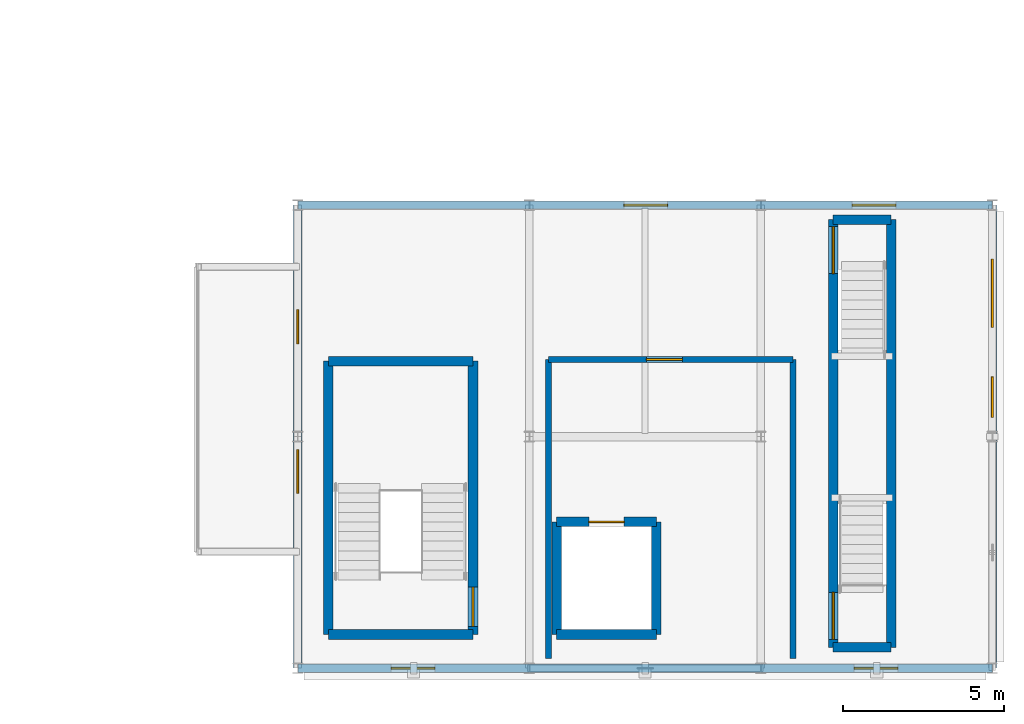
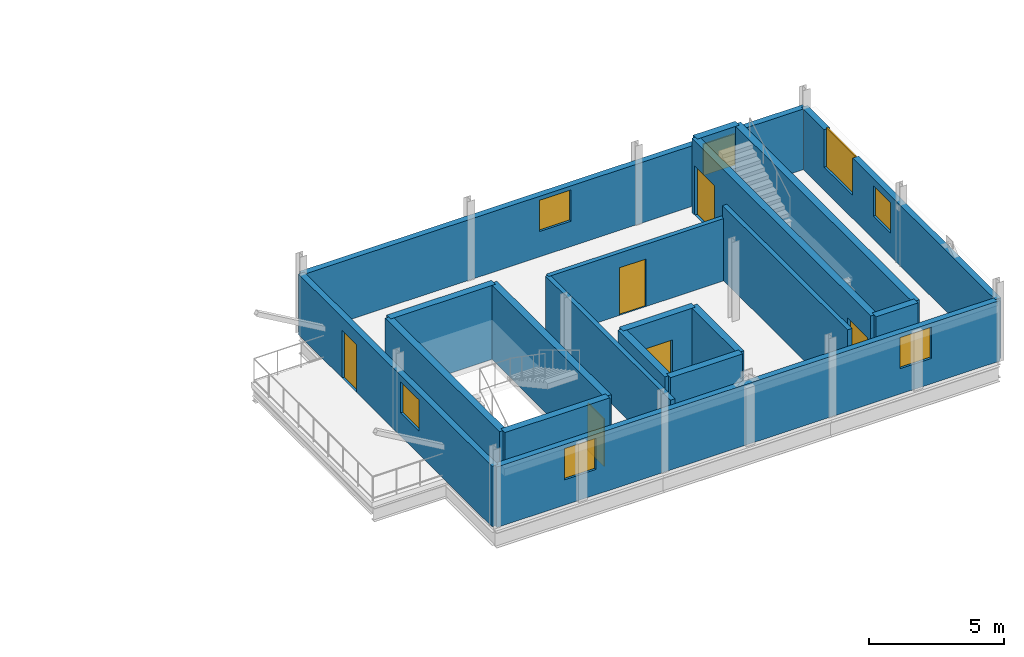
# One storey, part 60 of 96: 19 walls, 7 windows, 6 doors, 13 openings.
"""IFC4 building model written with IfcOpenShell, lengths in metres."""

from ifc_helpers import new_model, si_unit, direction, frame, frame_2d, origin, place, context, subcontext, project, spatial, rectangle, extrude, material, layer, layer_set, type_object, element, fill, save


model = new_model("IFC4")

# Units and contexts
model_context = context("Model", 3, precision=1e-05, world=origin(), true_north=direction((0.0, 1.0)))
body_context = subcontext(model_context, "Body", "Model", "MODEL_VIEW")
ifc_project = project(units=[si_unit("LENGTHUNIT", "METRE"), si_unit("AREAUNIT", "SQUARE_METRE"), si_unit("VOLUMEUNIT", "CUBIC_METRE"), si_unit("PLANEANGLEUNIT", "RADIAN"), si_unit("MASSUNIT", "GRAM", prefix="KILO")], contexts=[model_context])

# Site, building, storey
site_placement = place(None, origin())
site = spatial("IfcSite", under=ifc_project, at=site_placement, CompositionType="ELEMENT")
building_placement = place(site_placement, origin())
building = spatial("IfcBuilding", under=site, at=building_placement, Name="Yarey Park Central Fire Station", CompositionType="ELEMENT")
storey_placement = place(building_placement, frame((0.0, 0.0, 14.39990234375)))
storey = spatial("IfcBuildingStorey", under=building, at=storey_placement, Name="L04", CompositionType="ELEMENT", Elevation=14.39990234375)

# Wall, openings, windows
ifc_material_1 = material(Name="Concrete C40/50", Category="concrete")
ifc_layer_1 = layer(ifc_material_1, 0.2548828125)
ifc_layer_set_1 = layer_set([ifc_layer_1], Name="Concrete C40/50")
wall_type_1 = type_object("IfcWallType", Name="ENV_WALL_RC255", PredefinedType="STANDARD", material=ifc_layer_set_1)
wall_1_placement = place(storey_placement, frame((165.60009765625, 0.0, 0.0), z_axis=(0.0, 0.0, 1.0), x_axis=(-1.0, 0.0, 0.0)))
wall_1 = element("IfcWall", 1, at=wall_1_placement, inside=storey, type_object=wall_type_1, Name="EW_L04_DT_S", PredefinedType="STANDARD", context=body_context, shape_type="SweptSolid", body=[
    extrude(rectangle(XDim=21.60009765625, YDim=0.2548828125, at=frame_2d((10.800048828125, 0.0))), origin(), (0.0, 0.0, 1.0), 2.75),
])
opening_1_placement = place(wall_1_placement, frame((17.340087890625, 0.0, 1.14990234375)))
opening_1 = element("IfcOpeningElement", 2, at=opening_1_placement, cuts=wall_1, Name="Opening WN-DT136", PredefinedType="OPENING", context=body_context, shape_type="SweptSolid", body=[
    extrude(rectangle(XDim=1.360107421875, YDim=1.419921875, at=frame_2d((0.68017578125, 0.7099609375))), frame((0.0, 0.137451171875, 0.0), z_axis=(0.0, -1.0, 0.0), x_axis=(1.0, 0.0, 0.0)), (0.0, 0.0, 1.0), 0.27490234375),
])
opening_2_placement = place(wall_1_placement, frame((2.93994140625, 0.0, 1.14990234375)))
opening_2 = element("IfcOpeningElement", 3, at=opening_2_placement, cuts=wall_1, Name="Opening WN-DT136", PredefinedType="OPENING", context=body_context, shape_type="SweptSolid", body=[
    extrude(rectangle(XDim=1.360107421875, YDim=1.419921875, at=frame_2d((0.68017578125, 0.7099609375))), frame((0.0, 0.137451171875, 0.0), z_axis=(0.0, -1.0, 0.0), x_axis=(1.0, 0.0, 0.0)), (0.0, 0.0, 1.0), 0.27490234375),
])
ifc_material_2 = material(Name="Laminated Hurricane Low-E Glass", Category="glass")
window_type_1 = type_object("IfcWindowType", Name="ENV_WIN_DT_136", PartitioningType="SINGLE_PANEL", PredefinedType="WINDOW", material=ifc_material_2)
window_1_placement = place(opening_1_placement, origin())
window_1 = element("IfcWindow", 4, at=window_1_placement, inside=storey, type_object=window_type_1, Name="WIN_L04_DTS_1", OverallHeight=1.419921875, OverallWidth=1.360107421875, PartitioningType="SINGLE_PANEL", PredefinedType="WINDOW", context=body_context, shape_type="SweptSolid", body=[
    extrude(rectangle(XDim=1.360107421875, YDim=1.419921875, at=frame_2d((0.68017578125, 0.7099609375))), frame((0.0, 0.030029296875, 0.0), z_axis=(0.0, -1.0, 0.0), x_axis=(1.0, 0.0, 0.0)), (0.0, 0.0, 1.0), 0.06005859375),
])
fill(opening_1, window_1)
window_2_placement = place(opening_2_placement, origin())
window_2 = element("IfcWindow", 5, at=window_2_placement, inside=storey, type_object=window_type_1, Name="WIN_L04_DTS_2", OverallHeight=1.419921875, OverallWidth=1.360107421875, PartitioningType="SINGLE_PANEL", PredefinedType="WINDOW", context=body_context, shape_type="SweptSolid", body=[
    extrude(rectangle(XDim=1.360107421875, YDim=1.419921875, at=frame_2d((0.68017578125, 0.7099609375))), frame((0.0, 0.030029296875, 0.0), z_axis=(0.0, -1.0, 0.0), x_axis=(1.0, 0.0, 0.0)), (0.0, 0.0, 1.0), 0.06005859375),
])
fill(opening_2, window_2)

wall_2_placement = place(storey_placement, frame((165.60009765625, 0.0, 0.0), z_axis=(0.0, 0.0, 1.0), x_axis=(0.0, 1.0, 0.0)))
wall_2 = element("IfcWall", 6, at=wall_2_placement, inside=storey, type_object=wall_type_1, Name="EW_L04_DT_E", PredefinedType="STANDARD", context=body_context, shape_type="SweptSolid", body=[
    extrude(rectangle(XDim=14.39990234375, YDim=0.2548828125, at=frame_2d((7.199951171875, 0.0))), origin(), (0.0, 0.0, 1.0), 2.75),
])
opening_3_placement = place(wall_2_placement, frame((7.800048828125, 0.0, 1.050048828125)))
opening_3 = element("IfcOpeningElement", 7, at=opening_3_placement, cuts=wall_2, Name="Opening WN-DT126", PredefinedType="OPENING", context=body_context, shape_type="SweptSolid", body=[
    extrude(rectangle(XDim=1.260009765625, YDim=1.3798828125, at=frame_2d((0.6298828125, 0.68994140625))), frame((0.0, 0.137451171875, 0.0), z_axis=(0.0, -1.0, 0.0), x_axis=(1.0, 0.0, 0.0)), (0.0, 0.0, 1.0), 0.27490234375),
])
opening_4_placement = place(wall_2_placement, frame((10.60009765625, 0.0, 1.050048828125)))
opening_4 = element("IfcOpeningElement", 8, at=opening_4_placement, cuts=wall_2, Name="Opening WN-P212", PredefinedType="OPENING", context=body_context, shape_type="SweptSolid", body=[
    extrude(rectangle(XDim=2.1201171875, YDim=1.760009765625, at=frame_2d((1.06005859375, 0.8798828125))), frame((0.0, 0.137451171875, 0.0), z_axis=(0.0, -1.0, 0.0), x_axis=(1.0, 0.0, 0.0)), (0.0, 0.0, 1.0), 0.27490234375),
])
window_type_2 = type_object("IfcWindowType", Name="ENV_WIN_DT_126", PartitioningType="SINGLE_PANEL", PredefinedType="WINDOW", material=ifc_material_2)
window_3_placement = place(opening_3_placement, origin())
window_3 = element("IfcWindow", 9, at=window_3_placement, inside=storey, type_object=window_type_2, Name="WIN_L04_DTE_1", OverallHeight=1.3798828125, OverallWidth=1.260009765625, PartitioningType="SINGLE_PANEL", PredefinedType="WINDOW", context=body_context, shape_type="SweptSolid", body=[
    extrude(rectangle(XDim=1.260009765625, YDim=1.3798828125, at=frame_2d((0.6298828125, 0.68994140625))), frame((0.0, 0.030029296875, 0.0), z_axis=(0.0, -1.0, 0.0), x_axis=(1.0, 0.0, 0.0)), (0.0, 0.0, 1.0), 0.06005859375),
])
fill(opening_3, window_3)
window_type_3 = type_object("IfcWindowType", Name="ENV_WIN_PUNCH_212", PartitioningType="SINGLE_PANEL", PredefinedType="WINDOW", material=ifc_material_2)
window_4_placement = place(opening_4_placement, origin())
window_4 = element("IfcWindow", 10, at=window_4_placement, inside=storey, type_object=window_type_3, Name="WIN_L04_DTE_2", OverallHeight=1.760009765625, OverallWidth=2.1201171875, PartitioningType="SINGLE_PANEL", PredefinedType="WINDOW", context=body_context, shape_type="SweptSolid", body=[
    extrude(rectangle(XDim=2.1201171875, YDim=1.760009765625, at=frame_2d((1.06005859375, 0.8798828125))), frame((0.0, 0.030029296875, 0.0), z_axis=(0.0, -1.0, 0.0), x_axis=(1.0, 0.0, 0.0)), (0.0, 0.0, 1.0), 0.06005859375),
])
fill(opening_4, window_4)

# Wall, openings, door, window
wall_3_placement = place(storey_placement, frame((144.0, 14.39990234375, 0.0), z_axis=(0.0, 0.0, 1.0), x_axis=(0.0, -1.0, 0.0)))
wall_3 = element("IfcWall", 11, at=wall_3_placement, inside=storey, type_object=wall_type_1, Name="EW_L04_DT_W", PredefinedType="STANDARD", context=body_context, shape_type="SweptSolid", body=[
    extrude(rectangle(XDim=14.39990234375, YDim=0.2548828125, at=frame_2d((7.199951171875, 0.0))), origin(), (0.0, 0.0, 1.0), 2.75),
])
opening_5_placement = place(wall_3_placement, frame((3.25, 0.0, 0.0)))
opening_5 = element("IfcOpeningElement", 12, at=opening_5_placement, cuts=wall_3, Name="Opening TD-106", PredefinedType="OPENING", context=body_context, shape_type="SweptSolid", body=[
    extrude(rectangle(XDim=1.06005859375, YDim=2.159912109375, at=frame_2d((0.530029296875, 1.080078125))), frame((0.0, 0.137451171875, 0.0), z_axis=(0.0, -1.0, 0.0), x_axis=(1.0, 0.0, 0.0)), (0.0, 0.0, 1.0), 0.27490234375),
])
opening_6_placement = place(wall_3_placement, frame((7.60009765625, 0.0, 1.050048828125)))
opening_6 = element("IfcOpeningElement", 13, at=opening_6_placement, cuts=wall_3, Name="Opening WN-DT136", PredefinedType="OPENING", context=body_context, shape_type="SweptSolid", body=[
    extrude(rectangle(XDim=1.360107421875, YDim=1.419921875, at=frame_2d((0.68017578125, 0.7099609375))), frame((0.0, 0.137451171875, 0.0), z_axis=(0.0, -1.0, 0.0), x_axis=(1.0, 0.0, 0.0)), (0.0, 0.0, 1.0), 0.27490234375),
])
ifc_material_3 = material(Name="Galvanized Hollow Metal Door", Category="metal")
door_type_1 = type_object("IfcDoorType", Name="ENV_DOOR_BAL1060", OperationType="NOTDEFINED", PredefinedType="DOOR", material=ifc_material_3)
door_1_placement = place(opening_5_placement, origin())
door_1 = element("IfcDoor", 14, at=door_1_placement, inside=storey, type_object=door_type_1, Name="DOOR_L04_DT_BALC", OperationType="SINGLE_SWING_LEFT", OverallHeight=2.159912109375, OverallWidth=1.06005859375, PredefinedType="DOOR", context=body_context, shape_type="SweptSolid", body=[
    extrude(rectangle(XDim=1.06005859375, YDim=2.159912109375, at=frame_2d((0.530029296875, 1.080078125))), frame((0.0, 0.02490234375, 0.0), z_axis=(0.0, -1.0, 0.0), x_axis=(1.0, 0.0, 0.0)), (0.0, 0.0, 1.0), 0.050048828125),
])
fill(opening_5, door_1)
window_5_placement = place(opening_6_placement, origin())
window_5 = element("IfcWindow", 15, at=window_5_placement, inside=storey, type_object=window_type_1, Name="WIN_L04_DTW_RAP", OverallHeight=1.419921875, OverallWidth=1.360107421875, PartitioningType="SINGLE_PANEL", PredefinedType="WINDOW", context=body_context, shape_type="SweptSolid", body=[
    extrude(rectangle(XDim=1.360107421875, YDim=1.419921875, at=frame_2d((0.68017578125, 0.7099609375))), frame((0.0, 0.030029296875, 0.0), z_axis=(0.0, -1.0, 0.0), x_axis=(1.0, 0.0, 0.0)), (0.0, 0.0, 1.0), 0.06005859375),
])
fill(opening_6, window_5)

# Wall, openings, windows
wall_4_placement = place(storey_placement, frame((165.60009765625, 14.39990234375, 0.0), z_axis=(0.0, 0.0, 1.0), x_axis=(-1.0, 0.0, 0.0)))
wall_4 = element("IfcWall", 16, at=wall_4_placement, inside=storey, type_object=wall_type_1, Name="EW_L04_DT_N", PredefinedType="STANDARD", context=body_context, shape_type="SweptSolid", body=[
    extrude(rectangle(XDim=21.60009765625, YDim=0.2548828125, at=frame_2d((10.800048828125, 0.0))), origin(), (0.0, 0.0, 1.0), 2.75),
])
opening_7_placement = place(wall_4_placement, frame((3.0, 0.0, 1.14990234375)))
opening_7 = element("IfcOpeningElement", 17, at=opening_7_placement, cuts=wall_4, Name="Opening WN-DT136", PredefinedType="OPENING", context=body_context, shape_type="SweptSolid", body=[
    extrude(rectangle(XDim=1.360107421875, YDim=1.419921875, at=frame_2d((0.68017578125, 0.7099609375))), frame((0.0, 0.137451171875, 0.0), z_axis=(0.0, -1.0, 0.0), x_axis=(1.0, 0.0, 0.0)), (0.0, 0.0, 1.0), 0.27490234375),
])
opening_8_placement = place(wall_4_placement, frame((10.10009765625, 0.0, 1.14990234375)))
opening_8 = element("IfcOpeningElement", 18, at=opening_8_placement, cuts=wall_4, Name="Opening WN-DT136", PredefinedType="OPENING", context=body_context, shape_type="SweptSolid", body=[
    extrude(rectangle(XDim=1.360107421875, YDim=1.419921875, at=frame_2d((0.68017578125, 0.7099609375))), frame((0.0, 0.137451171875, 0.0), z_axis=(0.0, -1.0, 0.0), x_axis=(1.0, 0.0, 0.0)), (0.0, 0.0, 1.0), 0.27490234375),
])
window_6_placement = place(opening_7_placement, origin())
window_6 = element("IfcWindow", 19, at=window_6_placement, inside=storey, type_object=window_type_1, Name="WIN_L04_DTN_1", OverallHeight=1.419921875, OverallWidth=1.360107421875, PartitioningType="SINGLE_PANEL", PredefinedType="WINDOW", context=body_context, shape_type="SweptSolid", body=[
    extrude(rectangle(XDim=1.360107421875, YDim=1.419921875, at=frame_2d((0.68017578125, 0.7099609375))), frame((0.0, 0.030029296875, 0.0), z_axis=(0.0, -1.0, 0.0), x_axis=(1.0, 0.0, 0.0)), (0.0, 0.0, 1.0), 0.06005859375),
])
fill(opening_7, window_6)
window_7_placement = place(opening_8_placement, origin())
window_7 = element("IfcWindow", 20, at=window_7_placement, inside=storey, type_object=window_type_1, Name="WIN_L04_DTN_2", OverallHeight=1.419921875, OverallWidth=1.360107421875, PartitioningType="SINGLE_PANEL", PredefinedType="WINDOW", context=body_context, shape_type="SweptSolid", body=[
    extrude(rectangle(XDim=1.360107421875, YDim=1.419921875, at=frame_2d((0.68017578125, 0.7099609375))), frame((0.0, 0.030029296875, 0.0), z_axis=(0.0, -1.0, 0.0), x_axis=(1.0, 0.0, 0.0)), (0.0, 0.0, 1.0), 0.06005859375),
])
fill(opening_8, window_7)

# Walls
ifc_layer_2 = layer(ifc_material_1, 0.27001953125)
ifc_layer_set_2 = layer_set([ifc_layer_2], Name="Concrete C40/50")
wall_type_2 = type_object("IfcWallType", Name="INT_CORE_RC270", PredefinedType="SHEAR", material=ifc_layer_set_2)
for number, where, z_axis, x_axis, name in (
    (21, (144.949951171875, 1.050048828125, 0.0), (0.0, 0.0, 1.0), (1.0, 0.0, 0.0), "CWALL_C5_L04_S"),
    (22, (149.449951171875, 9.550048828125, 0.0), (0.0, 0.0, 1.0), (-1.0, 0.0, 0.0), "CWALL_C5_L04_N"),
):
    element("IfcWall", number, at=place(storey_placement, frame(where, z_axis=z_axis, x_axis=x_axis)), inside=storey, type_object=wall_type_2, Name=name, PredefinedType="SHEAR", context=body_context, shape_type="SweptSolid", body=[
        extrude(rectangle(XDim=4.5, YDim=0.300048828125, at=frame_2d((2.25, 0.0))), origin(), (0.0, 0.0, 1.0), 3.360107421875),
    ])
wall_5_placement = place(storey_placement, frame((144.949951171875, 9.550048828125, 0.0), z_axis=(0.0, 0.0, 1.0), x_axis=(0.0, -1.0, 0.0)))
element("IfcWall", 23, at=wall_5_placement, inside=storey, type_object=wall_type_2, Name="CWALL_C5_L04_W", PredefinedType="SHEAR", context=body_context, shape_type="SweptSolid", body=[
    extrude(rectangle(XDim=8.5, YDim=0.300048828125, at=frame_2d((4.25, 0.0))), origin(), (0.0, 0.0, 1.0), 3.360107421875),
])

# Wall, opening, door
wall_6_placement = place(storey_placement, frame((149.449951171875, 1.050048828125, 0.0), z_axis=(0.0, 0.0, 1.0), x_axis=(0.0, 1.0, 0.0)))
wall_6 = element("IfcWall", 24, at=wall_6_placement, inside=storey, type_object=wall_type_2, Name="CWALL_C5_L04_E", PredefinedType="SHEAR", context=body_context, shape_type="SweptSolid", body=[
    extrude(rectangle(XDim=8.5, YDim=0.300048828125, at=frame_2d((4.25, 0.0))), origin(), (0.0, 0.0, 1.0), 3.360107421875),
])
opening_9_placement = place(wall_6_placement, frame((0.25, 0.0, 0.0)))
opening_9 = element("IfcOpeningElement", 25, at=opening_9_placement, cuts=wall_6, Name="Opening SD-122", PredefinedType="OPENING", context=body_context, shape_type="SweptSolid", body=[
    extrude(rectangle(XDim=1.219970703125, YDim=2.159912109375, at=frame_2d((0.60986328125, 1.080078125))), frame((0.0, 0.159912109375, 0.0), z_axis=(0.0, -1.0, 0.0), x_axis=(1.0, 0.0, 0.0)), (0.0, 0.0, 1.0), 0.320068359375),
])
door_type_2 = type_object("IfcDoorType", Name="DR_STAIR_1220", OperationType="NOTDEFINED", PredefinedType="DOOR", material=ifc_material_3)
door_2_placement = place(opening_9_placement, origin())
door_2 = element("IfcDoor", 26, at=door_2_placement, inside=storey, type_object=door_type_2, Name="DOOR_STAIR_C5_L04", OperationType="SINGLE_SWING_RIGHT", OverallHeight=2.159912109375, OverallWidth=1.219970703125, PredefinedType="DOOR", context=body_context, shape_type="SweptSolid", body=[
    extrude(rectangle(XDim=1.219970703125, YDim=2.159912109375, at=frame_2d((0.60986328125, 1.080078125))), frame((0.0, 0.02490234375, 0.0), z_axis=(0.0, -1.0, 0.0), x_axis=(1.0, 0.0, 0.0)), (0.0, 0.0, 1.0), 0.050048828125),
])
fill(opening_9, door_2)

# Wall
wall_7_placement = place(storey_placement, frame((152.050048828125, 1.050048828125, 0.0), z_axis=(0.0, 0.0, 1.0), x_axis=(1.0, 0.0, 0.0)))
element("IfcWall", 27, at=wall_7_placement, inside=storey, type_object=wall_type_2, Name="LWALL_C5_L04_S", PredefinedType="SHEAR", context=body_context, shape_type="SweptSolid", body=[
    extrude(rectangle(XDim=3.099853515625, YDim=0.300048828125, at=frame_2d((1.5498046875, 0.0))), origin(), (0.0, 0.0, 1.0), 3.360107421875),
])

# Wall, opening, door
wall_8_placement = place(storey_placement, frame((155.14990234375, 4.550048828125, 0.0), z_axis=(0.0, 0.0, 1.0), x_axis=(-1.0, 0.0, 0.0)))
wall_8 = element("IfcWall", 28, at=wall_8_placement, inside=storey, type_object=wall_type_2, Name="LWALL_C5_L04_N", PredefinedType="SHEAR", context=body_context, shape_type="SweptSolid", body=[
    extrude(rectangle(XDim=3.099853515625, YDim=0.300048828125, at=frame_2d((1.5498046875, 0.0))), origin(), (0.0, 0.0, 1.0), 3.360107421875),
])
opening_10_placement = place(wall_8_placement, frame((1.0, 0.0, 0.0)))
opening_10 = element("IfcOpeningElement", 29, at=opening_10_placement, cuts=wall_8, Name="Opening LD-11", PredefinedType="OPENING", context=body_context, shape_type="SweptSolid", body=[
    extrude(rectangle(XDim=1.10009765625, YDim=2.219970703125, at=frame_2d((0.550048828125, 1.10986328125))), frame((0.0, 0.159912109375, 0.0), z_axis=(0.0, -1.0, 0.0), x_axis=(1.0, 0.0, 0.0)), (0.0, 0.0, 1.0), 0.320068359375),
])
ifc_material_4 = material(Name="Stainless Steel AISI 316L", Category="steel")
door_type_3 = type_object("IfcDoorType", Name="DR_LD_1100", OperationType="NOTDEFINED", PredefinedType="DOOR", material=ifc_material_4)
door_3_placement = place(opening_10_placement, origin())
door_3 = element("IfcDoor", 30, at=door_3_placement, inside=storey, type_object=door_type_3, Name="Lift Landing Door LF-5-L04", OperationType="SLIDING_TO_LEFT", OverallHeight=2.219970703125, OverallWidth=1.10009765625, PredefinedType="DOOR", context=body_context, shape_type="SweptSolid", body=[
    extrude(rectangle(XDim=1.10009765625, YDim=2.219970703125, at=frame_2d((0.550048828125, 1.10986328125))), frame((0.0, 0.02490234375, 0.0), z_axis=(0.0, -1.0, 0.0), x_axis=(1.0, 0.0, 0.0)), (0.0, 0.0, 1.0), 0.050048828125),
])
fill(opening_10, door_3)

# Walls
for number, where, z_axis, x_axis, name in (
    (31, (152.050048828125, 4.550048828125, 0.0), (0.0, 0.0, 1.0), (0.0, -1.0, 0.0), "LWALL_C5_L04_W"),
    (32, (155.14990234375, 1.050048828125, 0.0), (0.0, 0.0, 1.0), (0.0, 1.0, 0.0), "LWALL_C5_L04_E"),
):
    element("IfcWall", number, at=place(storey_placement, frame(where, z_axis=z_axis, x_axis=x_axis)), inside=storey, type_object=wall_type_2, Name=name, PredefinedType="SHEAR", context=body_context, shape_type="SweptSolid", body=[
        extrude(rectangle(XDim=3.5, YDim=0.300048828125, at=frame_2d((1.75, 0.0))), origin(), (0.0, 0.0, 1.0), 3.360107421875),
    ])
for number, where, z_axis, x_axis, name in (
    (33, (160.64990234375, 0.64990234375, 0.0), (0.0, 0.0, 1.0), (1.0, 0.0, 0.0), "CWALL_C6_L04_S"),
    (34, (162.449951171875, 13.949951171875, 0.0), (0.0, 0.0, 1.0), (-1.0, 0.0, 0.0), "CWALL_C6_L04_N"),
):
    element("IfcWall", number, at=place(storey_placement, frame(where, z_axis=z_axis, x_axis=x_axis)), inside=storey, type_object=wall_type_2, Name=name, PredefinedType="SHEAR", context=body_context, shape_type="SweptSolid", body=[
        extrude(rectangle(XDim=1.800048828125, YDim=0.300048828125, at=frame_2d((0.89990234375, 0.0))), origin(), (0.0, 0.0, 1.0), 3.360107421875),
    ])

# Wall, openings, doors
wall_9_placement = place(storey_placement, frame((160.64990234375, 13.949951171875, 0.0), z_axis=(0.0, 0.0, 1.0), x_axis=(0.0, -1.0, 0.0)))
wall_9 = element("IfcWall", 35, at=wall_9_placement, inside=storey, type_object=wall_type_2, Name="CWALL_C6_L04_W", PredefinedType="SHEAR", context=body_context, shape_type="SweptSolid", body=[
    extrude(rectangle(XDim=13.300048828125, YDim=0.300048828125, at=frame_2d((6.64990234375, 0.0))), origin(), (0.0, 0.0, 1.0), 3.360107421875),
])
opening_11_placement = place(wall_9_placement, frame((11.590087890625, 0.0, 0.0)))
opening_11 = element("IfcOpeningElement", 36, at=opening_11_placement, cuts=wall_9, Name="Opening SD-146", PredefinedType="OPENING", context=body_context, shape_type="SweptSolid", body=[
    extrude(rectangle(XDim=1.4599609375, YDim=2.239990234375, at=frame_2d((0.72998046875, 1.1201171875))), frame((0.0, 0.159912109375, 0.0), z_axis=(0.0, -1.0, 0.0), x_axis=(1.0, 0.0, 0.0)), (0.0, 0.0, 1.0), 0.320068359375),
])
opening_12_placement = place(wall_9_placement, frame((0.219970703125, 0.0, 0.0)))
opening_12 = element("IfcOpeningElement", 37, at=opening_12_placement, cuts=wall_9, Name="Opening SD-146", PredefinedType="OPENING", context=body_context, shape_type="SweptSolid", body=[
    extrude(rectangle(XDim=1.4599609375, YDim=2.239990234375, at=frame_2d((0.72998046875, 1.1201171875))), frame((0.0, 0.159912109375, 0.0), z_axis=(0.0, -1.0, 0.0), x_axis=(1.0, 0.0, 0.0)), (0.0, 0.0, 1.0), 0.320068359375),
])
door_type_4 = type_object("IfcDoorType", Name="DR_STAIR_1460", OperationType="NOTDEFINED", PredefinedType="DOOR", material=ifc_material_3)
door_4_placement = place(opening_11_placement, origin())
door_4 = element("IfcDoor", 38, at=door_4_placement, inside=storey, type_object=door_type_4, Name="DOOR_STAIR_C6_L04", OperationType="SINGLE_SWING_RIGHT", OverallHeight=2.239990234375, OverallWidth=1.4599609375, PredefinedType="DOOR", context=body_context, shape_type="SweptSolid", body=[
    extrude(rectangle(XDim=1.4599609375, YDim=2.239990234375, at=frame_2d((0.72998046875, 1.1201171875))), frame((0.0, 0.02490234375, 0.0), z_axis=(0.0, -1.0, 0.0), x_axis=(1.0, 0.0, 0.0)), (0.0, 0.0, 1.0), 0.050048828125),
])
fill(opening_11, door_4)
door_5_placement = place(opening_12_placement, origin())
door_5 = element("IfcDoor", 39, at=door_5_placement, inside=storey, type_object=door_type_4, Name="DOOR_STAIR_C6_L04_ARR", OperationType="SINGLE_SWING_LEFT", OverallHeight=2.239990234375, OverallWidth=1.4599609375, PredefinedType="DOOR", context=body_context, shape_type="SweptSolid", body=[
    extrude(rectangle(XDim=1.4599609375, YDim=2.239990234375, at=frame_2d((0.72998046875, 1.1201171875))), frame((0.0, 0.02490234375, 0.0), z_axis=(0.0, -1.0, 0.0), x_axis=(1.0, 0.0, 0.0)), (0.0, 0.0, 1.0), 0.050048828125),
])
fill(opening_12, door_5)

# Wall
wall_10_placement = place(storey_placement, frame((162.449951171875, 0.64990234375, 0.0), z_axis=(0.0, 0.0, 1.0), x_axis=(0.0, 1.0, 0.0)))
element("IfcWall", 40, at=wall_10_placement, inside=storey, type_object=wall_type_2, Name="CWALL_C6_L04_E", PredefinedType="SHEAR", context=body_context, shape_type="SweptSolid", body=[
    extrude(rectangle(XDim=13.300048828125, YDim=0.300048828125, at=frame_2d((6.64990234375, 0.0))), origin(), (0.0, 0.0, 1.0), 3.360107421875),
])

# Wall, opening, door
ifc_material_5 = material(Name="Concrete C35/45", Category="concrete")
ifc_layer_3 = layer(ifc_material_5, 0.18994140625)
ifc_layer_set_3 = layer_set([ifc_layer_3], Name="Concrete C35/45")
wall_type_3 = type_object("IfcWallType", Name="INT_WALL_CMU190", PredefinedType="STANDARD", material=ifc_layer_set_3)
wall_11_placement = place(storey_placement, frame((159.39990234375, 9.60009765625, 0.0), z_axis=(0.0, 0.0, 1.0), x_axis=(-1.0, 0.0, 0.0)))
wall_11 = element("IfcWall", 41, at=wall_11_placement, inside=storey, type_object=wall_type_3, Name="PART_SPC_L04_DT_RESC_NORTH", PredefinedType="STANDARD", context=body_context, shape_type="SweptSolid", body=[
    extrude(rectangle(XDim=7.599853515625, YDim=0.18994140625, at=frame_2d((3.7998046875, 0.0))), origin(), (0.0, 0.0, 1.0), 2.8271484375),
])
opening_13_placement = place(wall_11_placement, frame((3.43994140625, 0.0, 0.0)))
opening_13 = element("IfcOpeningElement", 42, at=opening_13_placement, cuts=wall_11, Name="Opening FD-112", PredefinedType="OPENING", context=body_context, shape_type="SweptSolid", body=[
    extrude(rectangle(XDim=1.1201171875, YDim=2.159912109375, at=frame_2d((0.56005859375, 1.080078125))), frame((0.0, 0.10498046875, 0.0), z_axis=(0.0, -1.0, 0.0), x_axis=(1.0, 0.0, 0.0)), (0.0, 0.0, 1.0), 0.2099609375),
])
door_type_5 = type_object("IfcDoorType", Name="DR_FD_1120", OperationType="NOTDEFINED", PredefinedType="DOOR", material=ifc_material_3)
door_6_placement = place(opening_13_placement, origin())
door_6 = element("IfcDoor", 43, at=door_6_placement, inside=storey, type_object=door_type_5, Name="DOOR_SPC_L04_DT_RESC", OperationType="SINGLE_SWING_LEFT", OverallHeight=2.159912109375, OverallWidth=1.1201171875, PredefinedType="DOOR", context=body_context, shape_type="SweptSolid", body=[
    extrude(rectangle(XDim=1.1201171875, YDim=2.159912109375, at=frame_2d((0.56005859375, 1.080078125))), frame((0.0, 0.02490234375, 0.0), z_axis=(0.0, -1.0, 0.0), x_axis=(1.0, 0.0, 0.0)), (0.0, 0.0, 1.0), 0.050048828125),
])
fill(opening_13, door_6)

# Walls
wall_12_placement = place(storey_placement, frame((151.800048828125, 9.60009765625, 0.0), z_axis=(0.0, 0.0, 1.0), x_axis=(0.0, -1.0, 0.0)))
element("IfcWall", 44, at=wall_12_placement, inside=storey, type_object=wall_type_3, Name="PART_SPC_L04_DT_RESC_WEST", PredefinedType="STANDARD", context=body_context, shape_type="SweptSolid", body=[
    extrude(rectangle(XDim=9.300048828125, YDim=0.18994140625, at=frame_2d((4.64990234375, 0.0))), origin(), (0.0, 0.0, 1.0), 2.8271484375),
])
wall_13_placement = place(storey_placement, frame((159.39990234375, 0.300048828125, 0.0), z_axis=(0.0, 0.0, 1.0), x_axis=(0.0, 1.0, 0.0)))
element("IfcWall", 45, at=wall_13_placement, inside=storey, type_object=wall_type_3, Name="PART_SPC_L04_DT_RESC_EAST", PredefinedType="STANDARD", context=body_context, shape_type="SweptSolid", body=[
    extrude(rectangle(XDim=9.300048828125, YDim=0.18994140625, at=frame_2d((4.64990234375, 0.0))), origin(), (0.0, 0.0, 1.0), 3.360107421875),
])

save(model, "model.ifc")
